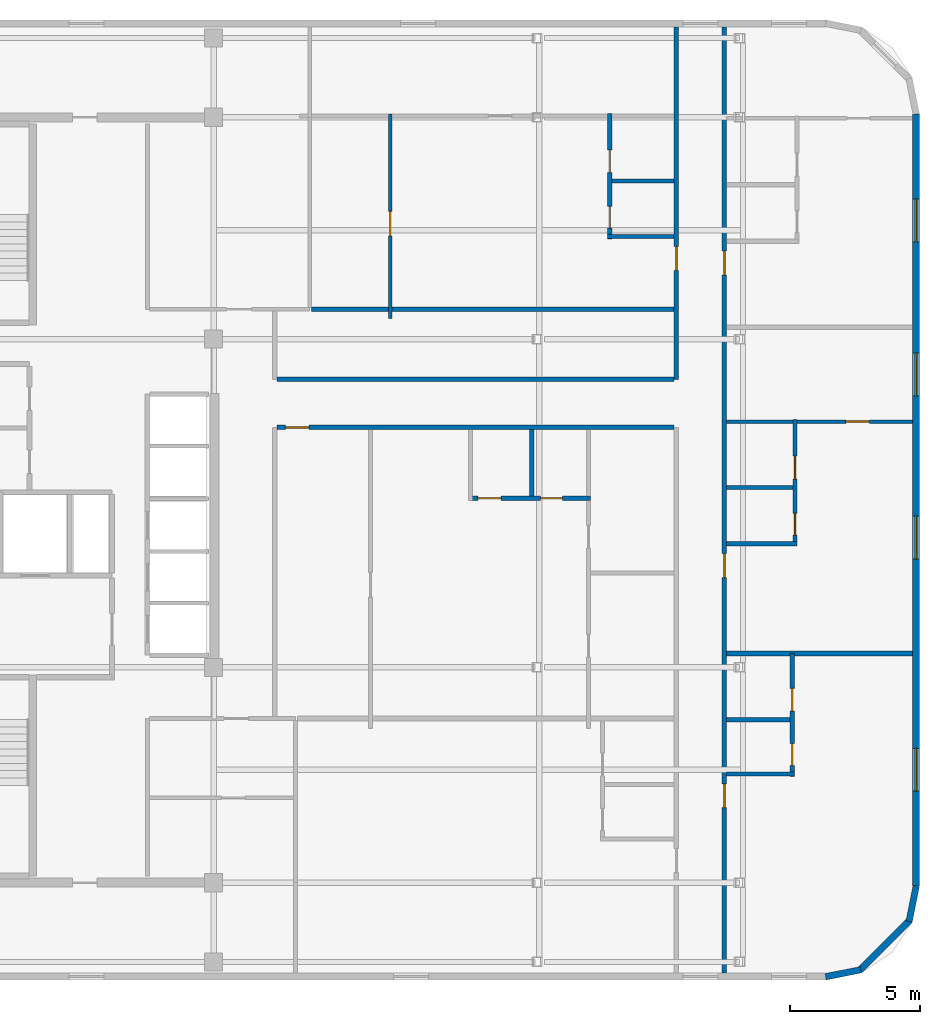
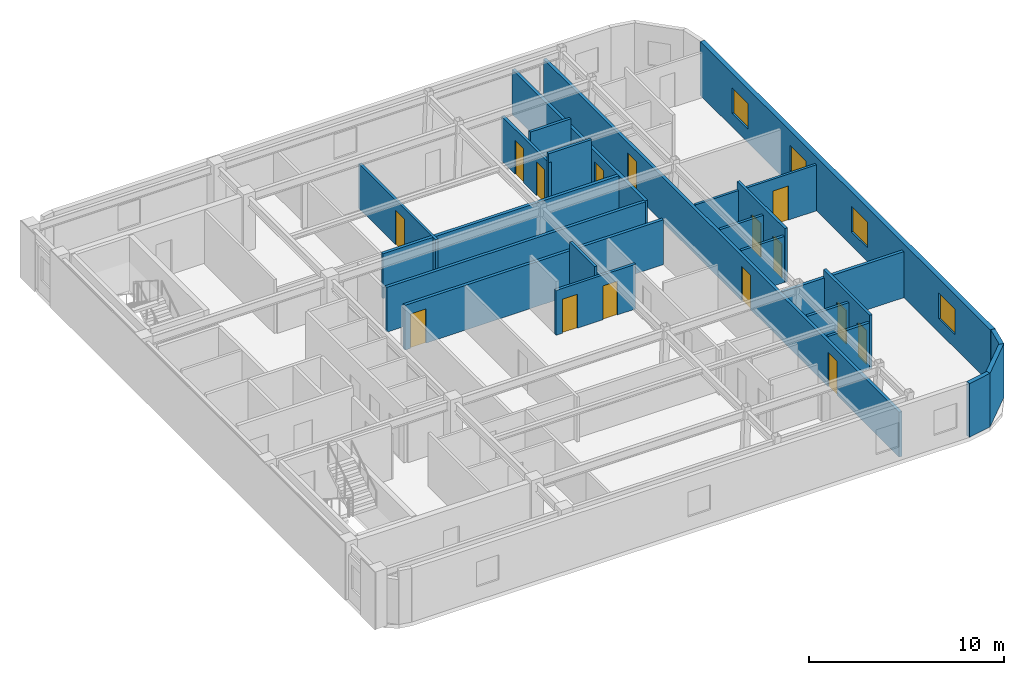
# One storey, part 4 of 6: 23 walls, 15 doors, 4 windows, 19 openings.
"""IFC4 building model written with IfcOpenShell, lengths in metres."""

from ifc_helpers import new_model, si_unit, direction, frame, frame_2d, origin, place, context, subcontext, project, spatial, rectangle, extrude, material, layer, layer_set, type_object, element, fill, save


model = new_model("IFC4")

# Units and contexts
model_context = context("Model", 3, precision=1e-05, world=origin(), true_north=direction((0.0, 1.0)))
body_context = subcontext(model_context, "Body", "Model", "MODEL_VIEW")
ifc_project = project(units=[si_unit("LENGTHUNIT", "METRE"), si_unit("AREAUNIT", "SQUARE_METRE"), si_unit("VOLUMEUNIT", "CUBIC_METRE"), si_unit("PLANEANGLEUNIT", "RADIAN"), si_unit("MASSUNIT", "GRAM", prefix="KILO")], contexts=[model_context])

# Site, building, storey
site_placement = place(None, origin())
site = spatial("IfcSite", under=ifc_project, at=site_placement, CompositionType="ELEMENT")
building_placement = place(site_placement, origin())
building = spatial("IfcBuilding", under=site, at=building_placement, Name="Ochreholt Gables", CompositionType="ELEMENT")
storey_placement = place(building_placement, frame((0.0, 0.0, 220.199951171875)))
storey = spatial("IfcBuildingStorey", under=building, at=storey_placement, Name="L57", CompositionType="ELEMENT", Elevation=220.199951171875)

# Wall, openings, windows
ifc_material_1 = material(Name="Precast concrete 40 MPa", Category="concrete")
ifc_layer_1 = layer(ifc_material_1, 0.27001953125, Name="Precast concrete 40 MPa")
ifc_layer_set_1 = layer_set([ifc_layer_1], Name="Precast concrete 40 MPa")
wall_type_1 = type_object("IfcWallType", Name="WALL-EXT-270", PredefinedType="SOLIDWALL", material=ifc_layer_set_1)
wall_1_placement = place(storey_placement, frame((62.264892578125, 9.1201171875, 0.0), z_axis=(0.0, 0.0, 1.0), x_axis=(0.0, 1.0, 0.0)))
wall_1 = element("IfcWall", 1, at=wall_1_placement, inside=storey, type_object=wall_type_1, Name="L57 East Exterior Wall", PredefinedType="SOLIDWALL", context=body_context, shape_type="SweptSolid", body=[
    extrude(rectangle(XDim=29.759765625, YDim=0.27001953125, at=frame_2d((14.8798828125, 0.0))), origin(), (0.0, 0.0, 1.0), 3.360107421875),
])
opening_1_placement = place(wall_1_placement, frame((3.655029296875, 0.0, 0.85009765625)))
opening_1 = element("IfcOpeningElement", 2, at=opening_1_placement, cuts=wall_1, Name="Opening WN-7", PredefinedType="OPENING", context=body_context, shape_type="SweptSolid", body=[
    extrude(rectangle(XDim=1.64990234375, YDim=1.60009765625, at=frame_2d((0.824951171875, 0.800048828125))), frame((0.0, 0.14501953125, 0.0), z_axis=(0.0, -1.0, 0.0), x_axis=(1.0, 0.0, 0.0)), (0.0, 0.0, 1.0), 0.2900390625),
])
opening_2_placement = place(wall_1_placement, frame((12.60498046875, 0.0, 0.85009765625)))
opening_2 = element("IfcOpeningElement", 3, at=opening_2_placement, cuts=wall_1, Name="Opening WN-7", PredefinedType="OPENING", context=body_context, shape_type="SweptSolid", body=[
    extrude(rectangle(XDim=1.64990234375, YDim=1.60009765625, at=frame_2d((0.824951171875, 0.800048828125))), frame((0.0, 0.14501953125, 0.0), z_axis=(0.0, -1.0, 0.0), x_axis=(1.0, 0.0, 0.0)), (0.0, 0.0, 1.0), 0.2900390625),
])
opening_3_placement = place(wall_1_placement, frame((18.89501953125, 0.0, 0.85009765625)))
opening_3 = element("IfcOpeningElement", 4, at=opening_3_placement, cuts=wall_1, Name="Opening WN-7", PredefinedType="OPENING", context=body_context, shape_type="SweptSolid", body=[
    extrude(rectangle(XDim=1.64990234375, YDim=1.60009765625, at=frame_2d((0.824951171875, 0.800048828125))), frame((0.0, 0.14501953125, 0.0), z_axis=(0.0, -1.0, 0.0), x_axis=(1.0, 0.0, 0.0)), (0.0, 0.0, 1.0), 0.2900390625),
])
opening_4_placement = place(wall_1_placement, frame((24.824951171875, 0.0, 0.85009765625)))
opening_4 = element("IfcOpeningElement", 5, at=opening_4_placement, cuts=wall_1, Name="Opening WN-7", PredefinedType="OPENING", context=body_context, shape_type="SweptSolid", body=[
    extrude(rectangle(XDim=1.64990234375, YDim=1.60009765625, at=frame_2d((0.824951171875, 0.800048828125))), frame((0.0, 0.14501953125, 0.0), z_axis=(0.0, -1.0, 0.0), x_axis=(1.0, 0.0, 0.0)), (0.0, 0.0, 1.0), 0.2900390625),
])
ifc_material_2 = material(Name="Triple-Glazed Thermally Broken Aluminium Window", Category="aluminium")
window_type = type_object("IfcWindowType", Name="WIN-RES-1650", PartitioningType="SINGLE_PANEL", PredefinedType="WINDOW", material=ifc_material_2)
window_1_placement = place(opening_1_placement, origin())
window_1 = element("IfcWindow", 6, at=window_1_placement, inside=storey, type_object=window_type, Name="L57 Window W-EXT-E-L57-1", OverallHeight=1.60009765625, OverallWidth=1.64990234375, PartitioningType="SINGLE_PANEL", PredefinedType="WINDOW", context=body_context, shape_type="SweptSolid", body=[
    extrude(rectangle(XDim=1.64990234375, YDim=1.60009765625, at=frame_2d((0.824951171875, 0.800048828125))), frame((0.0, 0.030029296875, 0.0), z_axis=(0.0, -1.0, 0.0), x_axis=(1.0, 0.0, 0.0)), (0.0, 0.0, 1.0), 0.06005859375),
])
fill(opening_1, window_1)
window_2_placement = place(opening_2_placement, origin())
window_2 = element("IfcWindow", 7, at=window_2_placement, inside=storey, type_object=window_type, Name="L57 Window W-EXT-E-L57-2", OverallHeight=1.60009765625, OverallWidth=1.64990234375, PartitioningType="SINGLE_PANEL", PredefinedType="WINDOW", context=body_context, shape_type="SweptSolid", body=[
    extrude(rectangle(XDim=1.64990234375, YDim=1.60009765625, at=frame_2d((0.824951171875, 0.800048828125))), frame((0.0, 0.030029296875, 0.0), z_axis=(0.0, -1.0, 0.0), x_axis=(1.0, 0.0, 0.0)), (0.0, 0.0, 1.0), 0.06005859375),
])
fill(opening_2, window_2)
window_3_placement = place(opening_3_placement, origin())
window_3 = element("IfcWindow", 8, at=window_3_placement, inside=storey, type_object=window_type, Name="L57 Window W-EXT-E-L57-3", OverallHeight=1.60009765625, OverallWidth=1.64990234375, PartitioningType="SINGLE_PANEL", PredefinedType="WINDOW", context=body_context, shape_type="SweptSolid", body=[
    extrude(rectangle(XDim=1.64990234375, YDim=1.60009765625, at=frame_2d((0.824951171875, 0.800048828125))), frame((0.0, 0.030029296875, 0.0), z_axis=(0.0, -1.0, 0.0), x_axis=(1.0, 0.0, 0.0)), (0.0, 0.0, 1.0), 0.06005859375),
])
fill(opening_3, window_3)
window_4_placement = place(opening_4_placement, origin())
window_4 = element("IfcWindow", 9, at=window_4_placement, inside=storey, type_object=window_type, Name="L57 Window W-EXT-E-L57-4", OverallHeight=1.60009765625, OverallWidth=1.64990234375, PartitioningType="SINGLE_PANEL", PredefinedType="WINDOW", context=body_context, shape_type="SweptSolid", body=[
    extrude(rectangle(XDim=1.64990234375, YDim=1.60009765625, at=frame_2d((0.824951171875, 0.800048828125))), frame((0.0, 0.030029296875, 0.0), z_axis=(0.0, -1.0, 0.0), x_axis=(1.0, 0.0, 0.0)), (0.0, 0.0, 1.0), 0.06005859375),
])
fill(opening_4, window_4)

# Walls
ifc_layer_2 = layer(ifc_material_1, 0.25, Name="Precast concrete 40 MPa")
ifc_layer_set_2 = layer_set([ifc_layer_2], Name="Precast concrete 40 MPa")
wall_type_2 = type_object("IfcWallType", Name="WALL-EXT-CNR", PredefinedType="SOLIDWALL", material=ifc_layer_set_2)
wall_2_placement = place(storey_placement, frame((58.783447265625, 5.624267578125, 0.0), z_axis=(0.0, 0.0, 1.0), x_axis=(0.980809899341, 0.19496651342, 0.0)))
element("IfcWall", 10, at=wall_2_placement, inside=storey, type_object=wall_type_2, Name="L57 Rounded Corner Wall SE-1", PredefinedType="SOLIDWALL", context=body_context, shape_type="SweptSolid", body=[
    extrude(rectangle(XDim=1.388671875, YDim=0.25, at=frame_2d((0.6943359375, 0.0))), origin(), (0.0, 0.0, 1.0), 3.360107421875),
])
wall_3_placement = place(storey_placement, frame((60.094970703125, 5.867919921875, 0.0), z_axis=(0.0, 0.0, 1.0), x_axis=(0.707106781187, 0.707106781187, 0.0)))
element("IfcWall", 11, at=wall_3_placement, inside=storey, type_object=wall_type_2, Name="L57 Rounded Corner Wall SE-2", PredefinedType="SOLIDWALL", context=body_context, shape_type="SweptSolid", body=[
    extrude(rectangle(XDim=2.7392578125, YDim=0.25, at=frame_2d((1.36962890625, 0.0))), origin(), (0.0, 0.0, 1.0), 3.360107421875),
])
wall_4_placement = place(storey_placement, frame((62.0048828125, 7.75439453125, 0.0), z_axis=(0.0, 0.0, 1.0), x_axis=(0.195135625965, 0.9807762678, 0.0)))
element("IfcWall", 12, at=wall_4_placement, inside=storey, type_object=wall_type_2, Name="L57 Rounded Corner Wall SE-3", PredefinedType="SOLIDWALL", context=body_context, shape_type="SweptSolid", body=[
    extrude(rectangle(XDim=1.388671875, YDim=0.25, at=frame_2d((0.6943359375, 0.0))), origin(), (0.0, 0.0, 1.0), 3.360107421875),
])

# Wall, opening, door
ifc_material_3 = material(Name="Fire-Rated Gypsum Acoustic Partition", Category="gypsum")
ifc_layer_3 = layer(ifc_material_3, 0.179931640625, Name="Fire-Rated Gypsum Acoustic Partition")
ifc_layer_set_3 = layer_set([ifc_layer_3], Name="Fire-Rated Gypsum Acoustic Partition")
wall_type_3 = type_object("IfcWallType", Name="WALL-INT-CR180", PredefinedType="STANDARD", material=ifc_layer_set_3)
wall_5_placement = place(storey_placement, frame((53.03271484375, 28.64990234375, 0.0), z_axis=(0.0, 0.0, 1.0), x_axis=(0.0, 1.0, 0.0)))
wall_5 = element("IfcWall", 13, at=wall_5_placement, inside=storey, type_object=wall_type_3, Name="L57 Interior Wall WI-C3GW2-L57", PredefinedType="STANDARD", context=body_context, shape_type="SweptSolid", body=[
    extrude(rectangle(XDim=13.580078125, YDim=0.179931640625, at=frame_2d((6.7900390625, 0.0))), origin(), (0.0, 0.0, 1.0), 2.802978515625),
])
opening_5_placement = place(wall_5_placement, frame((4.199951171875, 0.0, 0.0)))
opening_5 = element("IfcOpeningElement", 14, at=opening_5_placement, cuts=wall_5, Name="Opening D-UN1", PredefinedType="OPENING", context=body_context, shape_type="SweptSolid", body=[
    extrude(rectangle(XDim=0.919921875, YDim=2.14990234375, at=frame_2d((0.4599609375, 1.074951171875))), frame((0.0, 0.099853515625, 0.0), z_axis=(0.0, -1.0, 0.0), x_axis=(1.0, 0.0, 0.0)), (0.0, 0.0, 1.0), 0.199951171875),
])
ifc_material_4 = material(Name="Engineered Oak Timber", Category="wood")
door_type_1 = type_object("IfcDoorType", Name="DR-INT-UNT920", OperationType="NOTDEFINED", PredefinedType="DOOR", material=ifc_material_4)
door_1_placement = place(opening_5_placement, origin())
door_1 = element("IfcDoor", 15, at=door_1_placement, inside=storey, type_object=door_type_1, Name="L57 Door D-U-L57NM2-ENT", OperationType="SINGLE_SWING_RIGHT", OverallHeight=2.14990234375, OverallWidth=0.919921875, PredefinedType="DOOR", context=body_context, shape_type="SweptSolid", body=[
    extrude(rectangle(XDim=0.919921875, YDim=2.14990234375, at=frame_2d((0.4599609375, 1.074951171875))), frame((0.0, 0.02490234375, 0.0), z_axis=(0.0, -1.0, 0.0), x_axis=(1.0, 0.0, 0.0)), (0.0, 0.0, 1.0), 0.050048828125),
])
fill(opening_5, door_1)

wall_6_placement = place(storey_placement, frame((37.639892578125, 26.800048828125, 0.0), z_axis=(0.0, 0.0, 1.0), x_axis=(1.0, 0.0, 0.0)))
wall_6 = element("IfcWall", 16, at=wall_6_placement, inside=storey, type_object=wall_type_3, Name="L57 Interior Wall WI-C3BRS1-L57", PredefinedType="STANDARD", context=body_context, shape_type="SweptSolid", body=[
    extrude(rectangle(XDim=15.302978515625, YDim=0.179931640625, at=frame_2d((7.6513671875, 0.0))), origin(), (0.0, 0.0, 1.0), 2.802978515625),
])
opening_6_placement = place(wall_6_placement, frame((0.320068359375, 0.0, 0.0)))
opening_6 = element("IfcOpeningElement", 17, at=opening_6_placement, cuts=wall_6, Name="Opening D-UN1", PredefinedType="OPENING", context=body_context, shape_type="SweptSolid", body=[
    extrude(rectangle(XDim=0.919921875, YDim=2.14990234375, at=frame_2d((0.4599609375, 1.074951171875))), frame((0.0, 0.099853515625, 0.0), z_axis=(0.0, -1.0, 0.0), x_axis=(1.0, 0.0, 0.0)), (0.0, 0.0, 1.0), 0.199951171875),
])
door_2_placement = place(opening_6_placement, origin())
door_2 = element("IfcDoor", 18, at=door_2_placement, inside=storey, type_object=door_type_1, Name="L57 Door D-U-L57SM2-ENT", OperationType="SINGLE_SWING_LEFT", OverallHeight=2.14990234375, OverallWidth=0.919921875, PredefinedType="DOOR", context=body_context, shape_type="SweptSolid", body=[
    extrude(rectangle(XDim=0.919921875, YDim=2.14990234375, at=frame_2d((0.4599609375, 1.074951171875))), frame((0.0, 0.02490234375, 0.0), z_axis=(0.0, -1.0, 0.0), x_axis=(1.0, 0.0, 0.0)), (0.0, 0.0, 1.0), 0.050048828125),
])
fill(opening_6, door_2)

# Wall
wall_7_placement = place(storey_placement, frame((37.639892578125, 28.64990234375, 0.0), z_axis=(0.0, 0.0, 1.0), x_axis=(1.0, 0.0, 0.0)))
element("IfcWall", 19, at=wall_7_placement, inside=storey, type_object=wall_type_3, Name="L57 Interior Wall WI-C3BRN1-L57", PredefinedType="STANDARD", context=body_context, shape_type="SweptSolid", body=[
    extrude(rectangle(XDim=15.302978515625, YDim=0.179931640625, at=frame_2d((7.6513671875, 0.0))), origin(), (0.0, 0.0, 1.0), 2.802978515625),
])

# Wall, openings, doors
wall_8_placement = place(storey_placement, frame((54.8828125, 5.77001953125, 0.0), z_axis=(0.0, 0.0, 1.0), x_axis=(0.0, 1.0, 0.0)))
wall_8 = element("IfcWall", 20, at=wall_8_placement, inside=storey, type_object=wall_type_3, Name="L57 Interior Wall WI-C3GE-L57", PredefinedType="STANDARD", context=body_context, shape_type="SweptSolid", body=[
    extrude(rectangle(XDim=36.4599609375, YDim=0.179931640625, at=frame_2d((18.22998046875, 0.0))), origin(), (0.0, 0.0, 1.0), 2.802978515625),
])
opening_7_placement = place(wall_8_placement, frame((6.3701171875, 0.0, 0.0)))
opening_7 = element("IfcOpeningElement", 21, at=opening_7_placement, cuts=wall_8, Name="Opening D-UN1", PredefinedType="OPENING", context=body_context, shape_type="SweptSolid", body=[
    extrude(rectangle(XDim=0.919921875, YDim=2.14990234375, at=frame_2d((0.4599609375, 1.074951171875))), frame((0.0, 0.099853515625, 0.0), z_axis=(0.0, -1.0, 0.0), x_axis=(1.0, 0.0, 0.0)), (0.0, 0.0, 1.0), 0.199951171875),
])
opening_8_placement = place(wall_8_placement, frame((15.242919921875, 0.0, 0.0)))
opening_8 = element("IfcOpeningElement", 22, at=opening_8_placement, cuts=wall_8, Name="Opening D-UN1", PredefinedType="OPENING", context=body_context, shape_type="SweptSolid", body=[
    extrude(rectangle(XDim=0.919921875, YDim=2.14990234375, at=frame_2d((0.4599609375, 1.074951171875))), frame((0.0, 0.099853515625, 0.0), z_axis=(0.0, -1.0, 0.0), x_axis=(1.0, 0.0, 0.0)), (0.0, 0.0, 1.0), 0.199951171875),
])
opening_9_placement = place(wall_8_placement, frame((26.904541015625, 0.0, 0.0)))
opening_9 = element("IfcOpeningElement", 23, at=opening_9_placement, cuts=wall_8, Name="Opening D-UN1", PredefinedType="OPENING", context=body_context, shape_type="SweptSolid", body=[
    extrude(rectangle(XDim=0.919921875, YDim=2.14990234375, at=frame_2d((0.4599609375, 1.074951171875))), frame((0.0, 0.099853515625, 0.0), z_axis=(0.0, -1.0, 0.0), x_axis=(1.0, 0.0, 0.0)), (0.0, 0.0, 1.0), 0.199951171875),
])
door_3_placement = place(opening_7_placement, origin())
door_3 = element("IfcDoor", 24, at=door_3_placement, inside=storey, type_object=door_type_1, Name="L57 Door D-U-L57E1-ENT", OperationType="SINGLE_SWING_RIGHT", OverallHeight=2.14990234375, OverallWidth=0.919921875, PredefinedType="DOOR", context=body_context, shape_type="SweptSolid", body=[
    extrude(rectangle(XDim=0.919921875, YDim=2.14990234375, at=frame_2d((0.4599609375, 1.074951171875))), frame((0.0, 0.02490234375, 0.0), z_axis=(0.0, -1.0, 0.0), x_axis=(1.0, 0.0, 0.0)), (0.0, 0.0, 1.0), 0.050048828125),
])
fill(opening_7, door_3)
door_4_placement = place(opening_8_placement, origin())
door_4 = element("IfcDoor", 25, at=door_4_placement, inside=storey, type_object=door_type_1, Name="L57 Door D-U-L57E2-ENT", OperationType="SINGLE_SWING_LEFT", OverallHeight=2.14990234375, OverallWidth=0.919921875, PredefinedType="DOOR", context=body_context, shape_type="SweptSolid", body=[
    extrude(rectangle(XDim=0.919921875, YDim=2.14990234375, at=frame_2d((0.4599609375, 1.074951171875))), frame((0.0, 0.02490234375, 0.0), z_axis=(0.0, -1.0, 0.0), x_axis=(1.0, 0.0, 0.0)), (0.0, 0.0, 1.0), 0.050048828125),
])
fill(opening_8, door_4)
door_5_placement = place(opening_9_placement, origin())
door_5 = element("IfcDoor", 26, at=door_5_placement, inside=storey, type_object=door_type_1, Name="L57 Door D-U-L57E3-ENT", OperationType="SINGLE_SWING_RIGHT", OverallHeight=2.14990234375, OverallWidth=0.919921875, PredefinedType="DOOR", context=body_context, shape_type="SweptSolid", body=[
    extrude(rectangle(XDim=0.919921875, YDim=2.14990234375, at=frame_2d((0.4599609375, 1.074951171875))), frame((0.0, 0.02490234375, 0.0), z_axis=(0.0, -1.0, 0.0), x_axis=(1.0, 0.0, 0.0)), (0.0, 0.0, 1.0), 0.050048828125),
])
fill(opening_9, door_5)

# Walls
ifc_material_5 = material(Name="Double-Stud Acoustic Demising Wall", Category="gypsum")
ifc_layer_4 = layer(ifc_material_5, 0.18505859375, Name="Double-Stud Acoustic Demising Wall")
ifc_layer_set_4 = layer_set([ifc_layer_4], Name="Double-Stud Acoustic Demising Wall")
wall_type_4 = type_object("IfcWallType", Name="WALL-INT-DM185", PredefinedType="PARTITIONING", material=ifc_layer_set_4)
wall_9_placement = place(storey_placement, frame((54.972900390625, 18.080078125, 0.0), z_axis=(0.0, 0.0, 1.0), x_axis=(1.0, 0.0, 0.0)))
element("IfcWall", 27, at=wall_9_placement, inside=storey, type_object=wall_type_4, Name="L57 Interior Wall WI-C3UDE2-L57", PredefinedType="PARTITIONING", context=body_context, shape_type="SweptSolid", body=[
    extrude(rectangle(XDim=7.156982421875, YDim=0.18505859375, at=frame_2d((3.57861328125, 0.0))), origin(), (0.0, 0.0, 1.0), 2.879150390625),
])
wall_10_placement = place(storey_placement, frame((38.972412109375, 31.35009765625, 0.0), z_axis=(0.0, 0.0, 1.0), x_axis=(1.0, 0.0, 0.0)))
element("IfcWall", 28, at=wall_10_placement, inside=storey, type_object=wall_type_4, Name="L57 Interior Wall WI-C3NMY-L57", PredefinedType="PARTITIONING", context=body_context, shape_type="SweptSolid", body=[
    extrude(rectangle(XDim=13.970458984375, YDim=0.18505859375, at=frame_2d((6.9853515625, 0.0))), origin(), (0.0, 0.0, 1.0), 2.802978515625),
])
ifc_material_6 = material(Name="Moisture-Resistant Plumbing Chase Wall", Category="gypsum")
ifc_layer_5 = layer(ifc_material_6, 0.159912109375, Name="Moisture-Resistant Plumbing Chase Wall")
ifc_layer_set_5 = layer_set([ifc_layer_5], Name="Moisture-Resistant Plumbing Chase Wall")
wall_type_5 = type_object("IfcWallType", Name="WALL-INT-PL160", PredefinedType="PLUMBINGWALL", material=ifc_layer_set_5)
wall_11_placement = place(storey_placement, frame((54.972900390625, 13.43994140625, 0.0), z_axis=(0.0, 0.0, 1.0), x_axis=(1.0, 0.0, 0.0)))
element("IfcWall", 29, at=wall_11_placement, inside=storey, type_object=wall_type_5, Name="L57 Interior Wall WU-L57E1-WYS", PredefinedType="PLUMBINGWALL", context=body_context, shape_type="SweptSolid", body=[
    extrude(rectangle(XDim=2.60595703125, YDim=0.159912109375, at=frame_2d((1.302978515625, 0.0))), origin(), (0.0, 0.0, 1.0), 2.879150390625),
])

# Wall, openings, doors
wall_12_placement = place(storey_placement, frame((57.498779296875, 13.35009765625, 0.0), z_axis=(0.0, 0.0, 1.0), x_axis=(0.0, 1.0, 0.0)))
wall_12 = element("IfcWall", 30, at=wall_12_placement, inside=storey, type_object=wall_type_5, Name="L57 Interior Wall WU-L57E1-WX", PredefinedType="PLUMBINGWALL", context=body_context, shape_type="SweptSolid", body=[
    extrude(rectangle(XDim=4.72998046875, YDim=0.159912109375, at=frame_2d((2.364990234375, 0.0))), origin(), (0.0, 0.0, 1.0), 3.360107421875),
])
opening_10_placement = place(wall_12_placement, frame((0.419921875, 0.0, 0.0)))
opening_10 = element("IfcOpeningElement", 31, at=opening_10_placement, cuts=wall_12, Name="Opening D-BT2", PredefinedType="OPENING", context=body_context, shape_type="SweptSolid", body=[
    extrude(rectangle(XDim=0.840087890625, YDim=2.1201171875, at=frame_2d((0.419921875, 1.06005859375))), frame((0.0, 0.08984375, 0.0), z_axis=(0.0, -1.0, 0.0), x_axis=(1.0, 0.0, 0.0)), (0.0, 0.0, 1.0), 0.179931640625),
])
opening_11_placement = place(wall_12_placement, frame((2.512939453125, 0.0, 0.0)))
opening_11 = element("IfcOpeningElement", 32, at=opening_11_placement, cuts=wall_12, Name="Opening D-GN2", PredefinedType="OPENING", context=body_context, shape_type="SweptSolid", body=[
    extrude(rectangle(XDim=0.8798828125, YDim=2.1201171875, at=frame_2d((0.43994140625, 1.06005859375))), frame((0.0, 0.08984375, 0.0), z_axis=(0.0, -1.0, 0.0), x_axis=(1.0, 0.0, 0.0)), (0.0, 0.0, 1.0), 0.179931640625),
])
door_type_2 = type_object("IfcDoorType", Name="DR-INT-BTH840", OperationType="NOTDEFINED", PredefinedType="DOOR", material=ifc_material_4)
door_6_placement = place(opening_10_placement, origin())
door_6 = element("IfcDoor", 33, at=door_6_placement, inside=storey, type_object=door_type_2, Name="L57 Door D-U-L57E1-BTH", OperationType="SINGLE_SWING_LEFT", OverallHeight=2.1201171875, OverallWidth=0.840087890625, PredefinedType="DOOR", context=body_context, shape_type="SweptSolid", body=[
    extrude(rectangle(XDim=0.840087890625, YDim=2.1201171875, at=frame_2d((0.419921875, 1.06005859375))), frame((0.0, 0.02490234375, 0.0), z_axis=(0.0, -1.0, 0.0), x_axis=(1.0, 0.0, 0.0)), (0.0, 0.0, 1.0), 0.050048828125),
])
fill(opening_10, door_6)
door_type_3 = type_object("IfcDoorType", Name="DR-INT-GEN880", OperationType="NOTDEFINED", PredefinedType="DOOR", material=ifc_material_4)
door_7_placement = place(opening_11_placement, origin())
door_7 = element("IfcDoor", 34, at=door_7_placement, inside=storey, type_object=door_type_3, Name="L57 Door D-U-L57E1-KIT", OperationType="SINGLE_SWING_RIGHT", OverallHeight=2.1201171875, OverallWidth=0.8798828125, PredefinedType="DOOR", context=body_context, shape_type="SweptSolid", body=[
    extrude(rectangle(XDim=0.8798828125, YDim=2.1201171875, at=frame_2d((0.43994140625, 1.06005859375))), frame((0.0, 0.02490234375, 0.0), z_axis=(0.0, -1.0, 0.0), x_axis=(1.0, 0.0, 0.0)), (0.0, 0.0, 1.0), 0.050048828125),
])
fill(opening_11, door_7)

# Walls
wall_13_placement = place(storey_placement, frame((54.972900390625, 15.532958984375, 0.0), z_axis=(0.0, 0.0, 1.0), x_axis=(1.0, 0.0, 0.0)))
element("IfcWall", 35, at=wall_13_placement, inside=storey, type_object=wall_type_5, Name="L57 Interior Wall WU-L57E1-WM", PredefinedType="PLUMBINGWALL", context=body_context, shape_type="SweptSolid", body=[
    extrude(rectangle(XDim=2.44580078125, YDim=0.159912109375, at=frame_2d((1.222900390625, 0.0))), origin(), (0.0, 0.0, 1.0), 2.879150390625),
])
wall_14_placement = place(storey_placement, frame((54.972900390625, 22.31298828125, 0.0), z_axis=(0.0, 0.0, 1.0), x_axis=(1.0, 0.0, 0.0)))
element("IfcWall", 36, at=wall_14_placement, inside=storey, type_object=wall_type_5, Name="L57 Interior Wall WU-L57E2-FYS", PredefinedType="PLUMBINGWALL", context=body_context, shape_type="SweptSolid", body=[
    extrude(rectangle(XDim=2.7119140625, YDim=0.159912109375, at=frame_2d((1.35595703125, 0.0))), origin(), (0.0, 0.0, 1.0), 2.879150390625),
])

# Wall, openings, doors
wall_15_placement = place(storey_placement, frame((57.604736328125, 22.222900390625, 0.0), z_axis=(0.0, 0.0, 1.0), x_axis=(0.0, 1.0, 0.0)))
wall_15 = element("IfcWall", 37, at=wall_15_placement, inside=storey, type_object=wall_type_5, Name="L57 Interior Wall WU-L57E2-WX", PredefinedType="PLUMBINGWALL", context=body_context, shape_type="SweptSolid", body=[
    extrude(rectangle(XDim=4.88720703125, YDim=0.159912109375, at=frame_2d((2.443603515625, 0.0))), origin(), (0.0, 0.0, 1.0), 3.360107421875),
])
opening_12_placement = place(wall_15_placement, frame((0.419921875, 0.0, 0.0)))
opening_12 = element("IfcOpeningElement", 38, at=opening_12_placement, cuts=wall_15, Name="Opening D-BT2", PredefinedType="OPENING", context=body_context, shape_type="SweptSolid", body=[
    extrude(rectangle(XDim=0.840087890625, YDim=2.1201171875, at=frame_2d((0.419921875, 1.06005859375))), frame((0.0, 0.08984375, 0.0), z_axis=(0.0, -1.0, 0.0), x_axis=(1.0, 0.0, 0.0)), (0.0, 0.0, 1.0), 0.179931640625),
])
opening_13_placement = place(wall_15_placement, frame((2.585205078125, 0.0, 0.0)))
opening_13 = element("IfcOpeningElement", 39, at=opening_13_placement, cuts=wall_15, Name="Opening D-GN2", PredefinedType="OPENING", context=body_context, shape_type="SweptSolid", body=[
    extrude(rectangle(XDim=0.8798828125, YDim=2.1201171875, at=frame_2d((0.43994140625, 1.06005859375))), frame((0.0, 0.08984375, 0.0), z_axis=(0.0, -1.0, 0.0), x_axis=(1.0, 0.0, 0.0)), (0.0, 0.0, 1.0), 0.179931640625),
])
door_8_placement = place(opening_12_placement, origin())
door_8 = element("IfcDoor", 40, at=door_8_placement, inside=storey, type_object=door_type_2, Name="L57 Door D-U-L57E2-BTH", OperationType="SINGLE_SWING_RIGHT", OverallHeight=2.1201171875, OverallWidth=0.840087890625, PredefinedType="DOOR", context=body_context, shape_type="SweptSolid", body=[
    extrude(rectangle(XDim=0.840087890625, YDim=2.1201171875, at=frame_2d((0.419921875, 1.06005859375))), frame((0.0, 0.02490234375, 0.0), z_axis=(0.0, -1.0, 0.0), x_axis=(1.0, 0.0, 0.0)), (0.0, 0.0, 1.0), 0.050048828125),
])
fill(opening_12, door_8)
door_9_placement = place(opening_13_placement, origin())
door_9 = element("IfcDoor", 41, at=door_9_placement, inside=storey, type_object=door_type_3, Name="L57 Door D-U-L57E2-KIT", OperationType="SINGLE_SWING_LEFT", OverallHeight=2.1201171875, OverallWidth=0.8798828125, PredefinedType="DOOR", context=body_context, shape_type="SweptSolid", body=[
    extrude(rectangle(XDim=0.8798828125, YDim=2.1201171875, at=frame_2d((0.43994140625, 1.06005859375))), frame((0.0, 0.02490234375, 0.0), z_axis=(0.0, -1.0, 0.0), x_axis=(1.0, 0.0, 0.0)), (0.0, 0.0, 1.0), 0.050048828125),
])
fill(opening_13, door_9)

# Wall
wall_16_placement = place(storey_placement, frame((54.972900390625, 24.478271484375, 0.0), z_axis=(0.0, 0.0, 1.0), x_axis=(1.0, 0.0, 0.0)))
element("IfcWall", 42, at=wall_16_placement, inside=storey, type_object=wall_type_5, Name="L57 Interior Wall WU-L57E2-WK", PredefinedType="PLUMBINGWALL", context=body_context, shape_type="SweptSolid", body=[
    extrude(rectangle(XDim=2.552001953125, YDim=0.159912109375, at=frame_2d((1.27587890625, 0.0))), origin(), (0.0, 0.0, 1.0), 2.879150390625),
])

# Wall, openings, doors
wall_17_placement = place(storey_placement, frame((45.0126953125, 24.070068359375, 0.0), z_axis=(0.0, 0.0, 1.0), x_axis=(1.0, 0.0, 0.0)))
wall_17 = element("IfcWall", 43, at=wall_17_placement, inside=storey, type_object=wall_type_5, Name="L57 Interior Wall WU-L57SM2-WY", PredefinedType="PLUMBINGWALL", context=body_context, shape_type="SweptSolid", body=[
    extrude(rectangle(XDim=4.710205078125, YDim=0.159912109375, at=frame_2d((2.35498046875, 0.0))), origin(), (0.0, 0.0, 1.0), 2.802978515625),
])
opening_14_placement = place(wall_17_placement, frame((0.3798828125, 0.0, 0.0)))
opening_14 = element("IfcOpeningElement", 44, at=opening_14_placement, cuts=wall_17, Name="Opening D-GN2", PredefinedType="OPENING", context=body_context, shape_type="SweptSolid", body=[
    extrude(rectangle(XDim=0.8798828125, YDim=2.1201171875, at=frame_2d((0.43994140625, 1.06005859375))), frame((0.0, 0.08984375, 0.0), z_axis=(0.0, -1.0, 0.0), x_axis=(1.0, 0.0, 0.0)), (0.0, 0.0, 1.0), 0.179931640625),
])
opening_15_placement = place(wall_17_placement, frame((2.785888671875, 0.0, 0.0)))
opening_15 = element("IfcOpeningElement", 45, at=opening_15_placement, cuts=wall_17, Name="Opening D-BT2", PredefinedType="OPENING", context=body_context, shape_type="SweptSolid", body=[
    extrude(rectangle(XDim=0.840087890625, YDim=2.1201171875, at=frame_2d((0.419921875, 1.06005859375))), frame((0.0, 0.08984375, 0.0), z_axis=(0.0, -1.0, 0.0), x_axis=(1.0, 0.0, 0.0)), (0.0, 0.0, 1.0), 0.179931640625),
])
door_10_placement = place(opening_15_placement, origin())
door_10 = element("IfcDoor", 46, at=door_10_placement, inside=storey, type_object=door_type_2, Name="L57 Door D-U-L57SM2-BTH", OperationType="SINGLE_SWING_LEFT", OverallHeight=2.1201171875, OverallWidth=0.840087890625, PredefinedType="DOOR", context=body_context, shape_type="SweptSolid", body=[
    extrude(rectangle(XDim=0.840087890625, YDim=2.1201171875, at=frame_2d((0.419921875, 1.06005859375))), frame((0.0, 0.02490234375, 0.0), z_axis=(0.0, -1.0, 0.0), x_axis=(1.0, 0.0, 0.0)), (0.0, 0.0, 1.0), 0.050048828125),
])
fill(opening_15, door_10)
door_11_placement = place(opening_14_placement, origin())
door_11 = element("IfcDoor", 47, at=door_11_placement, inside=storey, type_object=door_type_3, Name="L57 Door D-U-L57SM2-KIT", OperationType="SINGLE_SWING_RIGHT", OverallHeight=2.1201171875, OverallWidth=0.8798828125, PredefinedType="DOOR", context=body_context, shape_type="SweptSolid", body=[
    extrude(rectangle(XDim=0.8798828125, YDim=2.1201171875, at=frame_2d((0.43994140625, 1.06005859375))), frame((0.0, 0.02490234375, 0.0), z_axis=(0.0, -1.0, 0.0), x_axis=(1.0, 0.0, 0.0)), (0.0, 0.0, 1.0), 0.050048828125),
])
fill(opening_14, door_11)

# Walls
for number, where, z_axis, x_axis, name in (
    (48, (47.458740234375, 24.14990234375, 0.0), (0.0, 0.0, 1.0), (0.0, 1.0, 0.0), "L57 Interior Wall WU-L57SM2-WK"),
    (49, (50.3828125, 34.14990234375, 0.0), (0.0, 0.0, 1.0), (1.0, 0.0, 0.0), "L57 Interior Wall WU-L57NM2-FYS"),
):
    element("IfcWall", number, at=place(storey_placement, frame(where, z_axis=z_axis, x_axis=x_axis)), inside=storey, type_object=wall_type_5, Name=name, PredefinedType="PLUMBINGWALL", context=body_context, shape_type="SweptSolid", body=[
        extrude(rectangle(XDim=2.56005859375, YDim=0.159912109375, at=frame_2d((1.280029296875, 0.0))), origin(), (0.0, 0.0, 1.0), 3.360107421875),
    ])

# Wall, openings, doors
wall_18_placement = place(storey_placement, frame((50.462890625, 34.06005859375, 0.0), z_axis=(0.0, 0.0, 1.0), x_axis=(0.0, 1.0, 0.0)))
wall_18 = element("IfcWall", 50, at=wall_18_placement, inside=storey, type_object=wall_type_5, Name="L57 Interior Wall WU-L57NM2-WX", PredefinedType="PLUMBINGWALL", context=body_context, shape_type="SweptSolid", body=[
    extrude(rectangle(XDim=4.829833984375, YDim=0.159912109375, at=frame_2d((2.4150390625, 0.0))), origin(), (0.0, 0.0, 1.0), 2.802978515625),
])
opening_16_placement = place(wall_18_placement, frame((0.419921875, 0.0, 0.0)))
opening_16 = element("IfcOpeningElement", 51, at=opening_16_placement, cuts=wall_18, Name="Opening D-BT2", PredefinedType="OPENING", context=body_context, shape_type="SweptSolid", body=[
    extrude(rectangle(XDim=0.840087890625, YDim=2.1201171875, at=frame_2d((0.419921875, 1.06005859375))), frame((0.0, 0.08984375, 0.0), z_axis=(0.0, -1.0, 0.0), x_axis=(1.0, 0.0, 0.0)), (0.0, 0.0, 1.0), 0.179931640625),
])
opening_17_placement = place(wall_18_placement, frame((2.55908203125, 0.0, 0.0)))
opening_17 = element("IfcOpeningElement", 52, at=opening_17_placement, cuts=wall_18, Name="Opening D-GN2", PredefinedType="OPENING", context=body_context, shape_type="SweptSolid", body=[
    extrude(rectangle(XDim=0.8798828125, YDim=2.1201171875, at=frame_2d((0.43994140625, 1.06005859375))), frame((0.0, 0.08984375, 0.0), z_axis=(0.0, -1.0, 0.0), x_axis=(1.0, 0.0, 0.0)), (0.0, 0.0, 1.0), 0.179931640625),
])
door_12_placement = place(opening_16_placement, origin())
door_12 = element("IfcDoor", 53, at=door_12_placement, inside=storey, type_object=door_type_2, Name="L57 Door D-U-L57NM2-BTH", OperationType="SINGLE_SWING_LEFT", OverallHeight=2.1201171875, OverallWidth=0.840087890625, PredefinedType="DOOR", context=body_context, shape_type="SweptSolid", body=[
    extrude(rectangle(XDim=0.840087890625, YDim=2.1201171875, at=frame_2d((0.419921875, 1.06005859375))), frame((0.0, 0.02490234375, 0.0), z_axis=(0.0, -1.0, 0.0), x_axis=(1.0, 0.0, 0.0)), (0.0, 0.0, 1.0), 0.050048828125),
])
fill(opening_16, door_12)
door_13_placement = place(opening_17_placement, origin())
door_13 = element("IfcDoor", 54, at=door_13_placement, inside=storey, type_object=door_type_3, Name="L57 Door D-U-L57NM2-KIT", OperationType="SINGLE_SWING_RIGHT", OverallHeight=2.1201171875, OverallWidth=0.8798828125, PredefinedType="DOOR", context=body_context, shape_type="SweptSolid", body=[
    extrude(rectangle(XDim=0.8798828125, YDim=2.1201171875, at=frame_2d((0.43994140625, 1.06005859375))), frame((0.0, 0.02490234375, 0.0), z_axis=(0.0, -1.0, 0.0), x_axis=(1.0, 0.0, 0.0)), (0.0, 0.0, 1.0), 0.050048828125),
])
fill(opening_17, door_13)

# Wall
wall_19_placement = place(storey_placement, frame((50.542724609375, 36.2890625, 0.0), z_axis=(0.0, 0.0, 1.0), x_axis=(1.0, 0.0, 0.0)))
element("IfcWall", 55, at=wall_19_placement, inside=storey, type_object=wall_type_5, Name="L57 Interior Wall WU-L57NM2-WK", PredefinedType="PLUMBINGWALL", context=body_context, shape_type="SweptSolid", body=[
    extrude(rectangle(XDim=2.400146484375, YDim=0.159912109375, at=frame_2d((1.2001953125, 0.0))), origin(), (0.0, 0.0, 1.0), 3.360107421875),
])

# Wall, opening, door
ifc_material_7 = material(Name="Lightweight Stud Partition", Category="gypsum")
ifc_layer_6 = layer(ifc_material_7, 0.14501953125, Name="Lightweight Stud Partition")
ifc_layer_set_6 = layer_set([ifc_layer_6], Name="Lightweight Stud Partition")
wall_type_6 = type_object("IfcWallType", Name="WALL-INT-PT145", PredefinedType="PARTITIONING", material=ifc_layer_set_6)
wall_20_placement = place(storey_placement, frame((54.972900390625, 27.02001953125, 0.0), z_axis=(0.0, 0.0, 1.0), x_axis=(1.0, 0.0, 0.0)))
wall_20 = element("IfcWall", 56, at=wall_20_placement, inside=storey, type_object=wall_type_6, Name="L57 Interior Wall WU-L57E2-MN", PredefinedType="PARTITIONING", context=body_context, shape_type="SweptSolid", body=[
    extrude(rectangle(XDim=7.156982421875, YDim=0.14501953125, at=frame_2d((3.57861328125, 0.0))), origin(), (0.0, 0.0, 1.0), 2.879150390625),
])
opening_18_placement = place(wall_20_placement, frame((4.594482421875, 0.0, 0.0)))
opening_18 = element("IfcOpeningElement", 57, at=opening_18_placement, cuts=wall_20, Name="Opening D-BD1", PredefinedType="OPENING", context=body_context, shape_type="SweptSolid", body=[
    extrude(rectangle(XDim=0.89990234375, YDim=2.139892578125, at=frame_2d((0.449951171875, 1.06982421875))), frame((0.0, 0.08251953125, 0.0), z_axis=(0.0, -1.0, 0.0), x_axis=(1.0, 0.0, 0.0)), (0.0, 0.0, 1.0), 0.1650390625),
])
door_type_4 = type_object("IfcDoorType", Name="DR-INT-BED900", OperationType="NOTDEFINED", PredefinedType="DOOR", material=ifc_material_4)
door_14_placement = place(opening_18_placement, origin())
door_14 = element("IfcDoor", 58, at=door_14_placement, inside=storey, type_object=door_type_4, Name="L57 Door D-U-L57E2-BD1", OperationType="SINGLE_SWING_RIGHT", OverallHeight=2.139892578125, OverallWidth=0.89990234375, PredefinedType="DOOR", context=body_context, shape_type="SweptSolid", body=[
    extrude(rectangle(XDim=0.89990234375, YDim=2.139892578125, at=frame_2d((0.449951171875, 1.06982421875))), frame((0.0, 0.02490234375, 0.0), z_axis=(0.0, -1.0, 0.0), x_axis=(1.0, 0.0, 0.0)), (0.0, 0.0, 1.0), 0.050048828125),
])
fill(opening_18, door_14)

wall_21_placement = place(storey_placement, frame((42.0029296875, 30.989990234375, 0.0), z_axis=(0.0, 0.0, 1.0), x_axis=(0.0, 1.0, 0.0)))
wall_21 = element("IfcWall", 59, at=wall_21_placement, inside=storey, type_object=wall_type_6, Name="L57 Interior Wall WU-L57NM2-DNV", PredefinedType="PARTITIONING", context=body_context, shape_type="SweptSolid", body=[
    extrude(rectangle(XDim=7.889892578125, YDim=0.14501953125, at=frame_2d((3.94482421875, 0.0))), origin(), (0.0, 0.0, 1.0), 2.802978515625),
])
opening_19_placement = place(wall_21_placement, frame((3.18505859375, 0.0, 0.0)))
opening_19 = element("IfcOpeningElement", 60, at=opening_19_placement, cuts=wall_21, Name="Opening D-GN1", PredefinedType="OPENING", context=body_context, shape_type="SweptSolid", body=[
    extrude(rectangle(XDim=0.949951171875, YDim=2.14990234375, at=frame_2d((0.47509765625, 1.074951171875))), frame((0.0, 0.08251953125, 0.0), z_axis=(0.0, -1.0, 0.0), x_axis=(1.0, 0.0, 0.0)), (0.0, 0.0, 1.0), 0.1650390625),
])
door_type_5 = type_object("IfcDoorType", Name="DR-INT-GEN950", OperationType="NOTDEFINED", PredefinedType="DOOR", material=ifc_material_4)
door_15_placement = place(opening_19_placement, origin())
door_15 = element("IfcDoor", 61, at=door_15_placement, inside=storey, type_object=door_type_5, Name="L57 Door D-U-L57NM2-DIN", OperationType="SINGLE_SWING_LEFT", OverallHeight=2.14990234375, OverallWidth=0.949951171875, PredefinedType="DOOR", context=body_context, shape_type="SweptSolid", body=[
    extrude(rectangle(XDim=0.949951171875, YDim=2.14990234375, at=frame_2d((0.47509765625, 1.074951171875))), frame((0.0, 0.02490234375, 0.0), z_axis=(0.0, -1.0, 0.0), x_axis=(1.0, 0.0, 0.0)), (0.0, 0.0, 1.0), 0.050048828125),
])
fill(opening_19, door_15)

save(model, "model.ifc")
